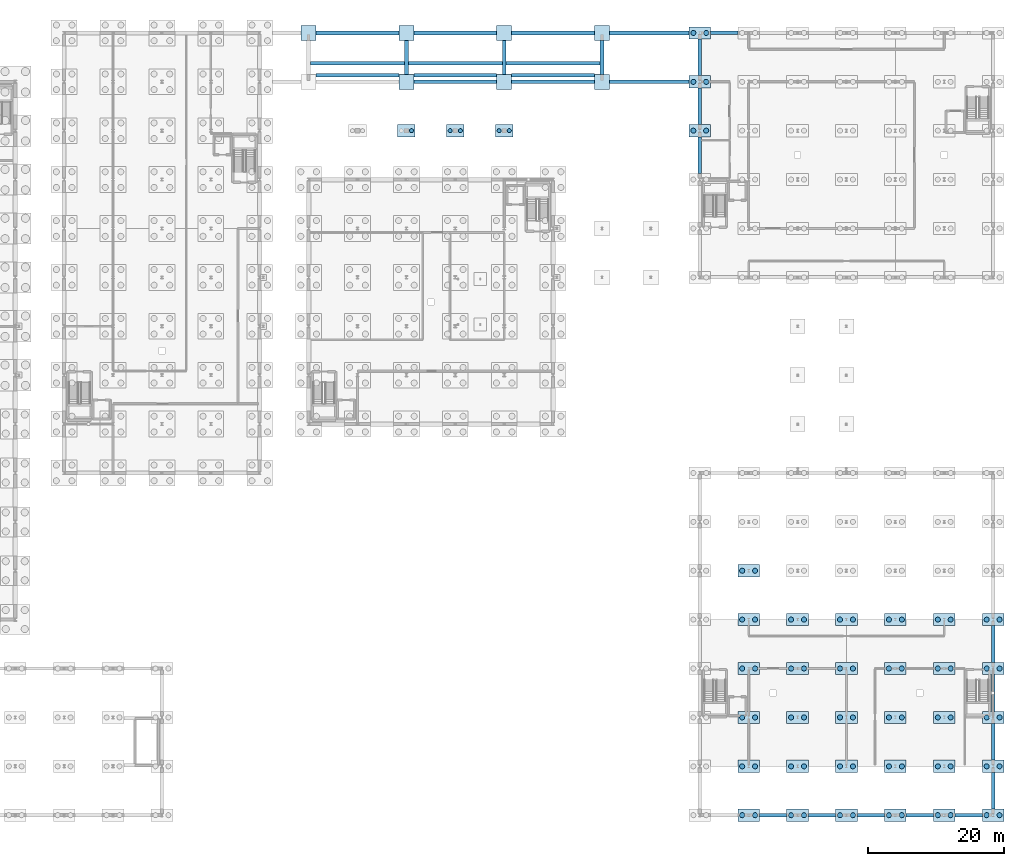
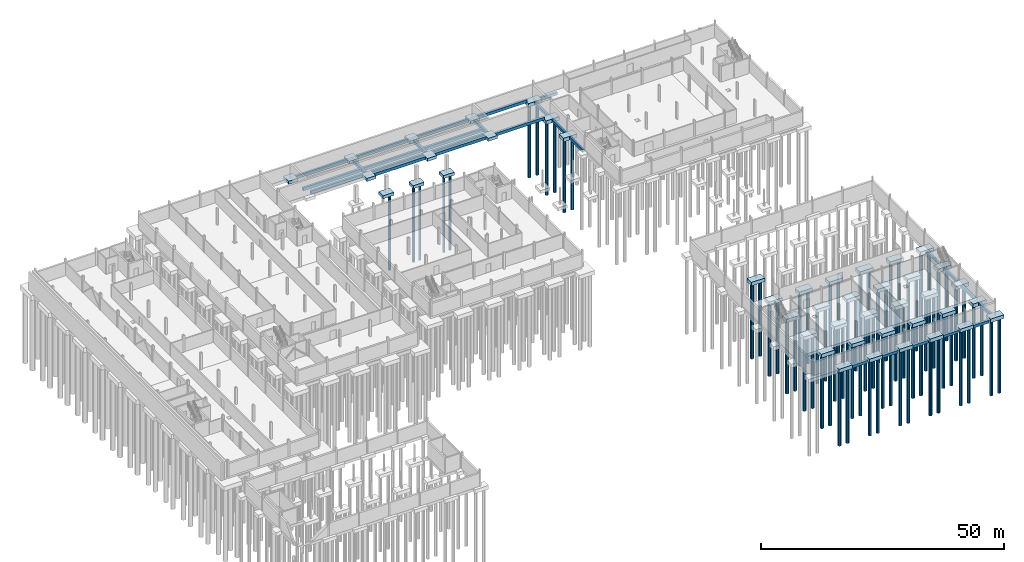
# One storey, part 6 of 50: 73 footings, 73 piles.
"""IFC4 building model written with IfcOpenShell, lengths in metres."""

from ifc_helpers import new_model, si_unit, direction, frame, origin, origin_2d, place, context, subcontext, project, spatial, rectangle, circle, extrude, material, layer, layer_set, material_profile, profile_set, type_object, element, save


model = new_model("IFC4")

# Units and contexts
model_context = context("Model", 3, precision=1e-05, world=origin(), true_north=direction((0.0, 1.0)))
body_context = subcontext(model_context, "Body", "Model", "MODEL_VIEW")
ifc_project = project(units=[si_unit("LENGTHUNIT", "METRE"), si_unit("AREAUNIT", "SQUARE_METRE"), si_unit("VOLUMEUNIT", "CUBIC_METRE"), si_unit("PLANEANGLEUNIT", "RADIAN"), si_unit("MASSUNIT", "GRAM", prefix="KILO")], contexts=[model_context])

# Site, building, storey
site_placement = place(None, origin())
site = spatial("IfcSite", under=ifc_project, at=site_placement, CompositionType="ELEMENT")
building_placement = place(site_placement, origin())
building = spatial("IfcBuilding", under=site, at=building_placement, Name="Narikvali Park Central Library", CompositionType="ELEMENT")
storey_placement = place(building_placement, frame((0.0, 0.0, -4.199951171875)))
storey = spatial("IfcBuildingStorey", under=building, at=storey_placement, Name="B1", CompositionType="ELEMENT", Elevation=-4.199951171875)

# Piles
ifc_material = material(Name="Concrete C35/45", Category="concrete")
ifc_material_profile_1 = material_profile(ifc_material, circle(Radius=0.300048828125, at=origin_2d()), Name="PILE D600")
ifc_profile_set_1 = profile_set([ifc_material_profile_1], Name="Concrete C35/45")
pile_type_1 = type_object("IfcPileType", Name="Bored Pile D600", PredefinedType="BORED", material=ifc_profile_set_1)
for number, where, z_axis, x_axis, name in (
    (1, (79.949951171875, 100.800048828125, -0.650146484375), (0.0, 0.0, -1.0), (1.0, 0.0, 0.0), "Entrance Arch Bored Pile (79.95,100.8)"),
    (2, (85.64990234375, 100.800048828125, -0.650146484375), (0.0, 0.0, -1.0), (1.0, 0.0, 0.0), "Entrance Arch Bored Pile (85.65,100.8)"),
    (3, (87.14990234375, 100.800048828125, -0.650146484375), (0.0, 0.0, -1.0), (1.0, 0.0, 0.0), "Entrance Arch Bored Pile (87.15,100.8)"),
    (4, (92.85009765625, 100.800048828125, -0.650146484375), (0.0, 0.0, -1.0), (1.0, 0.0, 0.0), "Entrance Arch Bored Pile (92.85,100.8)"),
    (5, (94.35009765625, 100.800048828125, -0.650146484375), (0.0, 0.0, -1.0), (1.0, 0.0, 0.0), "Entrance Arch Bored Pile (94.35,100.8)"),
):
    element("IfcPile", number, at=place(storey_placement, frame(where, z_axis=z_axis, x_axis=x_axis)), inside=storey, type_object=pile_type_1, Name=name, PredefinedType="BORED", context=body_context, shape_type="SweptSolid", body=[
        extrude(circle(Radius=0.300048828125, at=origin_2d()), origin(), (0.0, 0.0, 1.0), 19.14990234375),
    ])
ifc_material_profile_2 = material_profile(ifc_material, circle(Radius=0.375, at=origin_2d()), Name="PILE D750")
ifc_profile_set_2 = profile_set([ifc_material_profile_2], Name="Concrete C35/45")
pile_type_2 = type_object("IfcPileType", Name="Bored Pile D750", PredefinedType="BORED", material=ifc_profile_set_2)
for number, where, z_axis, x_axis, name in (
    (6, (121.449951171875, 100.800048828125, -1.400146484375), (0.0, 0.0, -1.0), (1.0, 0.0, 0.0), "Bored Pile (121.45,100.80)"),
    (7, (123.35009765625, 100.800048828125, -1.400146484375), (0.0, 0.0, -1.0), (1.0, 0.0, 0.0), "Bored Pile (123.35,100.80)"),
    (8, (121.449951171875, 108.0, -1.400146484375), (0.0, 0.0, -1.0), (1.0, 0.0, 0.0), "Bored Pile (121.45,108.00)"),
    (9, (123.35009765625, 108.0, -1.400146484375), (0.0, 0.0, -1.0), (1.0, 0.0, 0.0), "Bored Pile (123.35,108.00)"),
    (10, (121.449951171875, 115.199951171875, -1.400146484375), (0.0, 0.0, -1.0), (1.0, 0.0, 0.0), "Bored Pile (121.45,115.20)"),
    (11, (123.35009765625, 115.199951171875, -1.400146484375), (0.0, 0.0, -1.0), (1.0, 0.0, 0.0), "Bored Pile (123.35,115.20)"),
):
    element("IfcPile", number, at=place(storey_placement, frame(where, z_axis=z_axis, x_axis=x_axis)), inside=storey, type_object=pile_type_2, Name=name, PredefinedType="BORED", context=body_context, shape_type="SweptSolid", body=[
        extrude(circle(Radius=0.375, at=origin_2d()), origin(), (0.0, 0.0, 1.0), 18.39990234375),
    ])
for number, where, z_axis, x_axis, name in (
    (12, (128.64990234375, 0.0, -0.800048828125), (0.0, 0.0, -1.0), (1.0, 0.0, 0.0), "Bored Pile (128.65,0.00)"),
    (13, (130.550048828125, 0.0, -0.800048828125), (0.0, 0.0, -1.0), (1.0, 0.0, 0.0), "Bored Pile (130.55,0.00)"),
):
    element("IfcPile", number, at=place(storey_placement, frame(where, z_axis=z_axis, x_axis=x_axis)), inside=storey, type_object=pile_type_2, Name=name, PredefinedType="BORED", context=body_context, shape_type="SweptSolid", body=[
        extrude(circle(Radius=0.375, at=origin_2d()), origin(), (0.0, 0.0, 1.0), 19.0),
    ])
for number, where, z_axis, x_axis, name in (
    (14, (128.64990234375, 7.199951171875, -1.400146484375), (0.0, 0.0, -1.0), (1.0, 0.0, 0.0), "Bored Pile (128.65,7.20)"),
    (15, (130.550048828125, 7.199951171875, -1.400146484375), (0.0, 0.0, -1.0), (1.0, 0.0, 0.0), "Bored Pile (130.55,7.20)"),
    (16, (128.64990234375, 14.39990234375, -1.400146484375), (0.0, 0.0, -1.0), (1.0, 0.0, 0.0), "Bored Pile (128.65,14.40)"),
    (17, (130.550048828125, 14.39990234375, -1.400146484375), (0.0, 0.0, -1.0), (1.0, 0.0, 0.0), "Bored Pile (130.55,14.40)"),
    (18, (128.64990234375, 21.60009765625, -1.400146484375), (0.0, 0.0, -1.0), (1.0, 0.0, 0.0), "Bored Pile (128.65,21.60)"),
    (19, (130.550048828125, 21.60009765625, -1.400146484375), (0.0, 0.0, -1.0), (1.0, 0.0, 0.0), "Bored Pile (130.55,21.60)"),
    (20, (128.64990234375, 28.800048828125, -1.400146484375), (0.0, 0.0, -1.0), (1.0, 0.0, 0.0), "Bored Pile (128.65,28.80)"),
    (21, (130.550048828125, 28.800048828125, -1.400146484375), (0.0, 0.0, -1.0), (1.0, 0.0, 0.0), "Bored Pile (130.55,28.80)"),
):
    element("IfcPile", number, at=place(storey_placement, frame(where, z_axis=z_axis, x_axis=x_axis)), inside=storey, type_object=pile_type_2, Name=name, PredefinedType="BORED", context=body_context, shape_type="SweptSolid", body=[
        extrude(circle(Radius=0.375, at=origin_2d()), origin(), (0.0, 0.0, 1.0), 18.39990234375),
    ])
for number, where, z_axis, x_axis, name in (
    (22, (128.64990234375, 36.0, -0.800048828125), (0.0, 0.0, -1.0), (1.0, 0.0, 0.0), "Bored Pile (128.65,36.00)"),
    (23, (130.550048828125, 36.0, -0.800048828125), (0.0, 0.0, -1.0), (1.0, 0.0, 0.0), "Bored Pile (130.55,36.00)"),
    (24, (135.85009765625, 0.0, -0.800048828125), (0.0, 0.0, -1.0), (1.0, 0.0, 0.0), "Bored Pile (135.85,0.00)"),
    (25, (137.75, 0.0, -0.800048828125), (0.0, 0.0, -1.0), (1.0, 0.0, 0.0), "Bored Pile (137.75,0.00)"),
):
    element("IfcPile", number, at=place(storey_placement, frame(where, z_axis=z_axis, x_axis=x_axis)), inside=storey, type_object=pile_type_2, Name=name, PredefinedType="BORED", context=body_context, shape_type="SweptSolid", body=[
        extrude(circle(Radius=0.375, at=origin_2d()), origin(), (0.0, 0.0, 1.0), 19.0),
    ])
for number, where, z_axis, x_axis, name in (
    (26, (135.85009765625, 7.199951171875, -1.400146484375), (0.0, 0.0, -1.0), (1.0, 0.0, 0.0), "Bored Pile (135.85,7.20)"),
    (27, (137.75, 7.199951171875, -1.400146484375), (0.0, 0.0, -1.0), (1.0, 0.0, 0.0), "Bored Pile (137.75,7.20)"),
    (28, (135.85009765625, 14.39990234375, -1.400146484375), (0.0, 0.0, -1.0), (1.0, 0.0, 0.0), "Bored Pile (135.85,14.40)"),
    (29, (137.75, 14.39990234375, -1.400146484375), (0.0, 0.0, -1.0), (1.0, 0.0, 0.0), "Bored Pile (137.75,14.40)"),
    (30, (135.85009765625, 21.60009765625, -1.400146484375), (0.0, 0.0, -1.0), (1.0, 0.0, 0.0), "Bored Pile (135.85,21.60)"),
    (31, (137.75, 21.60009765625, -1.400146484375), (0.0, 0.0, -1.0), (1.0, 0.0, 0.0), "Bored Pile (137.75,21.60)"),
    (32, (135.85009765625, 28.800048828125, -1.400146484375), (0.0, 0.0, -1.0), (1.0, 0.0, 0.0), "Bored Pile (135.85,28.80)"),
    (33, (137.75, 28.800048828125, -1.400146484375), (0.0, 0.0, -1.0), (1.0, 0.0, 0.0), "Bored Pile (137.75,28.80)"),
):
    element("IfcPile", number, at=place(storey_placement, frame(where, z_axis=z_axis, x_axis=x_axis)), inside=storey, type_object=pile_type_2, Name=name, PredefinedType="BORED", context=body_context, shape_type="SweptSolid", body=[
        extrude(circle(Radius=0.375, at=origin_2d()), origin(), (0.0, 0.0, 1.0), 18.39990234375),
    ])
for number, where, z_axis, x_axis, name in (
    (34, (143.050048828125, 0.0, -0.800048828125), (0.0, 0.0, -1.0), (1.0, 0.0, 0.0), "Bored Pile (143.05,0.00)"),
    (35, (144.949951171875, 0.0, -0.800048828125), (0.0, 0.0, -1.0), (1.0, 0.0, 0.0), "Bored Pile (144.95,0.00)"),
):
    element("IfcPile", number, at=place(storey_placement, frame(where, z_axis=z_axis, x_axis=x_axis)), inside=storey, type_object=pile_type_2, Name=name, PredefinedType="BORED", context=body_context, shape_type="SweptSolid", body=[
        extrude(circle(Radius=0.375, at=origin_2d()), origin(), (0.0, 0.0, 1.0), 19.0),
    ])
for number, where, z_axis, x_axis, name in (
    (36, (143.050048828125, 7.199951171875, -1.400146484375), (0.0, 0.0, -1.0), (1.0, 0.0, 0.0), "Bored Pile (143.05,7.20)"),
    (37, (144.949951171875, 7.199951171875, -1.400146484375), (0.0, 0.0, -1.0), (1.0, 0.0, 0.0), "Bored Pile (144.95,7.20)"),
    (38, (143.050048828125, 14.39990234375, -1.400146484375), (0.0, 0.0, -1.0), (1.0, 0.0, 0.0), "Bored Pile (143.05,14.40)"),
    (39, (144.949951171875, 14.39990234375, -1.400146484375), (0.0, 0.0, -1.0), (1.0, 0.0, 0.0), "Bored Pile (144.95,14.40)"),
    (40, (143.050048828125, 21.60009765625, -1.400146484375), (0.0, 0.0, -1.0), (1.0, 0.0, 0.0), "Bored Pile (143.05,21.60)"),
    (41, (144.949951171875, 21.60009765625, -1.400146484375), (0.0, 0.0, -1.0), (1.0, 0.0, 0.0), "Bored Pile (144.95,21.60)"),
    (42, (143.050048828125, 28.800048828125, -1.400146484375), (0.0, 0.0, -1.0), (1.0, 0.0, 0.0), "Bored Pile (143.05,28.80)"),
    (43, (144.949951171875, 28.800048828125, -1.400146484375), (0.0, 0.0, -1.0), (1.0, 0.0, 0.0), "Bored Pile (144.95,28.80)"),
):
    element("IfcPile", number, at=place(storey_placement, frame(where, z_axis=z_axis, x_axis=x_axis)), inside=storey, type_object=pile_type_2, Name=name, PredefinedType="BORED", context=body_context, shape_type="SweptSolid", body=[
        extrude(circle(Radius=0.375, at=origin_2d()), origin(), (0.0, 0.0, 1.0), 18.39990234375),
    ])
for number, where, z_axis, x_axis, name in (
    (44, (150.25, 0.0, -0.800048828125), (0.0, 0.0, -1.0), (1.0, 0.0, 0.0), "Bored Pile (150.25,0.00)"),
    (45, (152.14990234375, 0.0, -0.800048828125), (0.0, 0.0, -1.0), (1.0, 0.0, 0.0), "Bored Pile (152.15,0.00)"),
):
    element("IfcPile", number, at=place(storey_placement, frame(where, z_axis=z_axis, x_axis=x_axis)), inside=storey, type_object=pile_type_2, Name=name, PredefinedType="BORED", context=body_context, shape_type="SweptSolid", body=[
        extrude(circle(Radius=0.375, at=origin_2d()), origin(), (0.0, 0.0, 1.0), 19.0),
    ])
for number, where, z_axis, x_axis, name in (
    (46, (150.25, 7.199951171875, -1.400146484375), (0.0, 0.0, -1.0), (1.0, 0.0, 0.0), "Bored Pile (150.25,7.20)"),
    (47, (152.14990234375, 7.199951171875, -1.400146484375), (0.0, 0.0, -1.0), (1.0, 0.0, 0.0), "Bored Pile (152.15,7.20)"),
    (48, (150.25, 14.39990234375, -1.400146484375), (0.0, 0.0, -1.0), (1.0, 0.0, 0.0), "Bored Pile (150.25,14.40)"),
    (49, (152.14990234375, 14.39990234375, -1.400146484375), (0.0, 0.0, -1.0), (1.0, 0.0, 0.0), "Bored Pile (152.15,14.40)"),
    (50, (150.25, 21.60009765625, -1.400146484375), (0.0, 0.0, -1.0), (1.0, 0.0, 0.0), "Bored Pile (150.25,21.60)"),
    (51, (152.14990234375, 21.60009765625, -1.400146484375), (0.0, 0.0, -1.0), (1.0, 0.0, 0.0), "Bored Pile (152.15,21.60)"),
    (52, (150.25, 28.800048828125, -1.400146484375), (0.0, 0.0, -1.0), (1.0, 0.0, 0.0), "Bored Pile (150.25,28.80)"),
    (53, (152.14990234375, 28.800048828125, -1.400146484375), (0.0, 0.0, -1.0), (1.0, 0.0, 0.0), "Bored Pile (152.15,28.80)"),
):
    element("IfcPile", number, at=place(storey_placement, frame(where, z_axis=z_axis, x_axis=x_axis)), inside=storey, type_object=pile_type_2, Name=name, PredefinedType="BORED", context=body_context, shape_type="SweptSolid", body=[
        extrude(circle(Radius=0.375, at=origin_2d()), origin(), (0.0, 0.0, 1.0), 18.39990234375),
    ])
for number, where, z_axis, x_axis, name in (
    (54, (157.449951171875, 0.0, -0.800048828125), (0.0, 0.0, -1.0), (1.0, 0.0, 0.0), "Bored Pile (157.45,0.00)"),
    (55, (159.35009765625, 0.0, -0.800048828125), (0.0, 0.0, -1.0), (1.0, 0.0, 0.0), "Bored Pile (159.35,0.00)"),
):
    element("IfcPile", number, at=place(storey_placement, frame(where, z_axis=z_axis, x_axis=x_axis)), inside=storey, type_object=pile_type_2, Name=name, PredefinedType="BORED", context=body_context, shape_type="SweptSolid", body=[
        extrude(circle(Radius=0.375, at=origin_2d()), origin(), (0.0, 0.0, 1.0), 19.0),
    ])
for number, where, z_axis, x_axis, name in (
    (56, (157.449951171875, 7.199951171875, -1.400146484375), (0.0, 0.0, -1.0), (1.0, 0.0, 0.0), "Bored Pile (157.45,7.20)"),
    (57, (159.35009765625, 7.199951171875, -1.400146484375), (0.0, 0.0, -1.0), (1.0, 0.0, 0.0), "Bored Pile (159.35,7.20)"),
    (58, (157.449951171875, 14.39990234375, -1.400146484375), (0.0, 0.0, -1.0), (1.0, 0.0, 0.0), "Bored Pile (157.45,14.40)"),
    (59, (159.35009765625, 14.39990234375, -1.400146484375), (0.0, 0.0, -1.0), (1.0, 0.0, 0.0), "Bored Pile (159.35,14.40)"),
    (60, (157.449951171875, 21.60009765625, -1.400146484375), (0.0, 0.0, -1.0), (1.0, 0.0, 0.0), "Bored Pile (157.45,21.60)"),
    (61, (159.35009765625, 21.60009765625, -1.400146484375), (0.0, 0.0, -1.0), (1.0, 0.0, 0.0), "Bored Pile (159.35,21.60)"),
    (62, (157.449951171875, 28.800048828125, -1.400146484375), (0.0, 0.0, -1.0), (1.0, 0.0, 0.0), "Bored Pile (157.45,28.80)"),
    (63, (159.35009765625, 28.800048828125, -1.400146484375), (0.0, 0.0, -1.0), (1.0, 0.0, 0.0), "Bored Pile (159.35,28.80)"),
):
    element("IfcPile", number, at=place(storey_placement, frame(where, z_axis=z_axis, x_axis=x_axis)), inside=storey, type_object=pile_type_2, Name=name, PredefinedType="BORED", context=body_context, shape_type="SweptSolid", body=[
        extrude(circle(Radius=0.375, at=origin_2d()), origin(), (0.0, 0.0, 1.0), 18.39990234375),
    ])
for number, where, z_axis, x_axis, name in (
    (64, (164.64990234375, 0.0, -0.800048828125), (0.0, 0.0, -1.0), (1.0, 0.0, 0.0), "Bored Pile (164.65,0.00)"),
    (65, (166.550048828125, 0.0, -0.800048828125), (0.0, 0.0, -1.0), (1.0, 0.0, 0.0), "Bored Pile (166.55,0.00)"),
):
    element("IfcPile", number, at=place(storey_placement, frame(where, z_axis=z_axis, x_axis=x_axis)), inside=storey, type_object=pile_type_2, Name=name, PredefinedType="BORED", context=body_context, shape_type="SweptSolid", body=[
        extrude(circle(Radius=0.375, at=origin_2d()), origin(), (0.0, 0.0, 1.0), 19.0),
    ])
for number, where, z_axis, x_axis, name in (
    (66, (164.64990234375, 7.199951171875, -1.400146484375), (0.0, 0.0, -1.0), (1.0, 0.0, 0.0), "Bored Pile (164.65,7.20)"),
    (67, (166.550048828125, 7.199951171875, -1.400146484375), (0.0, 0.0, -1.0), (1.0, 0.0, 0.0), "Bored Pile (166.55,7.20)"),
    (68, (164.64990234375, 14.39990234375, -1.400146484375), (0.0, 0.0, -1.0), (1.0, 0.0, 0.0), "Bored Pile (164.65,14.40)"),
    (69, (166.550048828125, 14.39990234375, -1.400146484375), (0.0, 0.0, -1.0), (1.0, 0.0, 0.0), "Bored Pile (166.55,14.40)"),
    (70, (164.64990234375, 21.60009765625, -1.400146484375), (0.0, 0.0, -1.0), (1.0, 0.0, 0.0), "Bored Pile (164.65,21.60)"),
    (71, (166.550048828125, 21.60009765625, -1.400146484375), (0.0, 0.0, -1.0), (1.0, 0.0, 0.0), "Bored Pile (166.55,21.60)"),
    (72, (164.64990234375, 28.800048828125, -1.400146484375), (0.0, 0.0, -1.0), (1.0, 0.0, 0.0), "Bored Pile (164.65,28.80)"),
    (73, (166.550048828125, 28.800048828125, -1.400146484375), (0.0, 0.0, -1.0), (1.0, 0.0, 0.0), "Bored Pile (166.55,28.80)"),
):
    element("IfcPile", number, at=place(storey_placement, frame(where, z_axis=z_axis, x_axis=x_axis)), inside=storey, type_object=pile_type_2, Name=name, PredefinedType="BORED", context=body_context, shape_type="SweptSolid", body=[
        extrude(circle(Radius=0.375, at=origin_2d()), origin(), (0.0, 0.0, 1.0), 18.39990234375),
    ])

# Footings
ifc_layer_1 = layer(ifc_material, 0.75, Name="Concrete C35/45")
ifc_layer_set_1 = layer_set([ifc_layer_1], Name="Concrete C35/45")
footing_type_1 = type_object("IfcFootingType", Name="Colonnade Pad Footing 2200x2200x750", PredefinedType="PAD_FOOTING", material=ifc_layer_set_1)
for number, where, z_axis, x_axis, name in (
    (74, (64.800048828125, 115.199951171875, -0.75), (0.0, 0.0, 1.0), (1.0, 0.0, 0.0), "Forecourt Retaining Pad Footing (64.8,115.2)"),
    (75, (79.199951171875, 108.0, -0.75), (0.0, 0.0, 1.0), (1.0, 0.0, 0.0), "Forecourt Retaining Pad Footing (79.2,108.0)"),
    (76, (79.199951171875, 115.199951171875, -0.75), (0.0, 0.0, 1.0), (1.0, 0.0, 0.0), "Forecourt Retaining Pad Footing (79.2,115.2)"),
    (77, (93.60009765625, 108.0, -0.75), (0.0, 0.0, 1.0), (1.0, 0.0, 0.0), "Forecourt Retaining Pad Footing (93.6,108.0)"),
    (78, (93.60009765625, 115.199951171875, -0.75), (0.0, 0.0, 1.0), (1.0, 0.0, 0.0), "Forecourt Retaining Pad Footing (93.6,115.2)"),
    (79, (108.0, 108.0, -0.75), (0.0, 0.0, 1.0), (1.0, 0.0, 0.0), "Forecourt Retaining Pad Footing (108.0,108.0)"),
    (80, (108.0, 115.199951171875, -0.75), (0.0, 0.0, 1.0), (1.0, 0.0, 0.0), "Forecourt Retaining Pad Footing (108.0,115.2)"),
):
    element("IfcFooting", number, at=place(storey_placement, frame(where, z_axis=z_axis, x_axis=x_axis)), inside=storey, type_object=footing_type_1, Name=name, PredefinedType="PAD_FOOTING", context=body_context, shape_type="SweptSolid", body=[
        extrude(rectangle(XDim=2.199951171875, YDim=2.199951171875, at=origin_2d()), origin(), (0.0, 0.0, 1.0), 0.75),
    ])
ifc_layer_2 = layer(ifc_material, 0.75, Name="Concrete C35/45")
ifc_layer_set_2 = layer_set([ifc_layer_2], Name="Concrete C35/45")
footing_type_2 = type_object("IfcFootingType", Name="Entrance Arch Two Pile Cap 2600x1800x750", PredefinedType="PILE_CAP", material=ifc_layer_set_2)
for number, where, z_axis, x_axis, name in (
    (81, (79.199951171875, 100.800048828125, -0.75), (0.0, 0.0, 1.0), (1.0, 0.0, 0.0), "Entrance Arch Pile Cap (79.2,100.8)"),
    (82, (86.39990234375, 100.800048828125, -0.75), (0.0, 0.0, 1.0), (1.0, 0.0, 0.0), "Entrance Arch Pile Cap (86.4,100.8)"),
    (83, (93.60009765625, 100.800048828125, -0.75), (0.0, 0.0, 1.0), (1.0, 0.0, 0.0), "Entrance Arch Pile Cap (93.6,100.8)"),
):
    element("IfcFooting", number, at=place(storey_placement, frame(where, z_axis=z_axis, x_axis=x_axis)), inside=storey, type_object=footing_type_2, Name=name, PredefinedType="PILE_CAP", context=body_context, shape_type="SweptSolid", body=[
        extrude(rectangle(XDim=2.60009765625, YDim=1.800048828125, at=origin_2d()), origin(), (0.0, 0.0, 1.0), 0.75),
    ])
ifc_material_profile_3 = material_profile(ifc_material, rectangle(XDim=0.550048828125, YDim=0.75, at=origin_2d()), Name="RC GB 550x750")
ifc_profile_set_3 = profile_set([ifc_material_profile_3], Name="Concrete C35/45")
footing_type_3 = type_object("IfcFootingType", Name="Forecourt Strip Footing 550x750", PredefinedType="STRIP_FOOTING", material=ifc_profile_set_3)
for number, where, z_axis, x_axis, name in (
    (84, (80.300048828125, 108.0, -0.375), (1.0, 0.0, 0.0), (0.0, 1.0, 0.0), "Forecourt Tie Footing Y=108.0 (79.2..93.6)"),
    (85, (94.699951171875, 108.0, -0.375), (1.0, 0.0, 0.0), (0.0, 1.0, 0.0), "Forecourt Tie Footing Y=108.0 (93.6..108.0)"),
):
    element("IfcFooting", number, at=place(storey_placement, frame(where, z_axis=z_axis, x_axis=x_axis)), inside=storey, type_object=footing_type_3, Name=name, PredefinedType="STRIP_FOOTING", context=body_context, shape_type="SweptSolid", body=[
        extrude(rectangle(XDim=0.550048828125, YDim=0.75, at=origin_2d()), origin(), (0.0, 0.0, 1.0), 12.199951171875),
    ])
footing_1_placement = place(storey_placement, frame((109.10009765625, 108.0, -0.375), z_axis=(1.0, 0.0, 0.0), x_axis=(0.0, 1.0, 0.0)))
element("IfcFooting", 86, at=footing_1_placement, inside=storey, type_object=footing_type_3, Name="Forecourt Tie Footing Y=108.0 (108.0..122.4)", PredefinedType="STRIP_FOOTING", context=body_context, shape_type="SweptSolid", body=[
    extrude(rectangle(XDim=0.550048828125, YDim=0.75, at=origin_2d()), origin(), (0.0, 0.0, 1.0), 11.699951171875),
])
footing_2_placement = place(storey_placement, frame((65.89990234375, 115.199951171875, -0.375), z_axis=(1.0, 0.0, 0.0), x_axis=(0.0, 1.0, 0.0)))
element("IfcFooting", 87, at=footing_2_placement, inside=storey, type_object=footing_type_3, Name="Forecourt Tie Footing Y=115.2 (64.8..79.2)", PredefinedType="STRIP_FOOTING", context=body_context, shape_type="SweptSolid", body=[
    extrude(rectangle(XDim=0.550048828125, YDim=0.75, at=origin_2d()), origin(), (0.0, 0.0, 1.0), 12.2001953125),
])
for number, where, z_axis, x_axis, name in (
    (88, (80.300048828125, 115.199951171875, -0.375), (1.0, 0.0, 0.0), (0.0, 1.0, 0.0), "Forecourt Tie Footing Y=115.2 (79.2..93.6)"),
    (89, (94.699951171875, 115.199951171875, -0.375), (1.0, 0.0, 0.0), (0.0, 1.0, 0.0), "Forecourt Tie Footing Y=115.2 (93.6..108.0)"),
):
    element("IfcFooting", number, at=place(storey_placement, frame(where, z_axis=z_axis, x_axis=x_axis)), inside=storey, type_object=footing_type_3, Name=name, PredefinedType="STRIP_FOOTING", context=body_context, shape_type="SweptSolid", body=[
        extrude(rectangle(XDim=0.550048828125, YDim=0.75, at=origin_2d()), origin(), (0.0, 0.0, 1.0), 12.199951171875),
    ])
footing_3_placement = place(storey_placement, frame((109.10009765625, 115.199951171875, -0.375), z_axis=(1.0, 0.0, 0.0), x_axis=(0.0, 1.0, 0.0)))
element("IfcFooting", 90, at=footing_3_placement, inside=storey, type_object=footing_type_3, Name="Forecourt Tie Footing Y=115.2 (108.0..122.4)", PredefinedType="STRIP_FOOTING", context=body_context, shape_type="SweptSolid", body=[
    extrude(rectangle(XDim=0.550048828125, YDim=0.75, at=origin_2d()), origin(), (0.0, 0.0, 1.0), 11.699951171875),
])
for number, where, z_axis, x_axis, name in (
    (91, (79.199951171875, 109.10009765625, -0.375), (0.0, 1.0, 0.0), (-1.0, 0.0, 0.0), "Forecourt Cross Tie Footing X=79.2"),
    (92, (93.60009765625, 109.10009765625, -0.375), (0.0, 1.0, 0.0), (-1.0, 0.0, 0.0), "Forecourt Cross Tie Footing X=93.6"),
    (93, (108.0, 109.10009765625, -0.375), (0.0, 1.0, 0.0), (-1.0, 0.0, 0.0), "Forecourt Cross Tie Footing X=108.0"),
):
    element("IfcFooting", number, at=place(storey_placement, frame(where, z_axis=z_axis, x_axis=x_axis)), inside=storey, type_object=footing_type_3, Name=name, PredefinedType="STRIP_FOOTING", context=body_context, shape_type="SweptSolid", body=[
        extrude(rectangle(XDim=0.550048828125, YDim=0.75, at=origin_2d()), origin(), (0.0, 0.0, 1.0), 5.0),
    ])
footing_4_placement = place(storey_placement, frame((65.89990234375, 108.949951171875, -0.375), z_axis=(1.0, 0.0, 0.0), x_axis=(0.0, 1.0, 0.0)))
element("IfcFooting", 94, at=footing_4_placement, inside=storey, type_object=footing_type_3, Name="Forecourt Stair Foundation Tie (64.8..79.2)", PredefinedType="STRIP_FOOTING", context=body_context, shape_type="SweptSolid", body=[
    extrude(rectangle(XDim=0.550048828125, YDim=0.75, at=origin_2d()), origin(), (0.0, 0.0, 1.0), 12.2001953125),
])
footing_5_placement = place(storey_placement, frame((65.074951171875, 110.75, -0.375), z_axis=(1.0, 0.0, 0.0), x_axis=(0.0, 1.0, 0.0)))
element("IfcFooting", 95, at=footing_5_placement, inside=storey, type_object=footing_type_3, Name="Forecourt Lower Stair Foundation Tie (64.8..79.2)", PredefinedType="STRIP_FOOTING", context=body_context, shape_type="SweptSolid", body=[
    extrude(rectangle(XDim=0.550048828125, YDim=0.75, at=origin_2d()), origin(), (0.0, 0.0, 1.0), 13.85009765625),
])
footing_6_placement = place(storey_placement, frame((80.300048828125, 108.949951171875, -0.375), z_axis=(1.0, 0.0, 0.0), x_axis=(0.0, 1.0, 0.0)))
element("IfcFooting", 96, at=footing_6_placement, inside=storey, type_object=footing_type_3, Name="Forecourt Stair Foundation Tie (79.2..93.6)", PredefinedType="STRIP_FOOTING", context=body_context, shape_type="SweptSolid", body=[
    extrude(rectangle(XDim=0.550048828125, YDim=0.75, at=origin_2d()), origin(), (0.0, 0.0, 1.0), 12.199951171875),
])
footing_7_placement = place(storey_placement, frame((79.47509765625, 110.75, -0.375), z_axis=(1.0, 0.0, 0.0), x_axis=(0.0, 1.0, 0.0)))
element("IfcFooting", 97, at=footing_7_placement, inside=storey, type_object=footing_type_3, Name="Forecourt Lower Stair Foundation Tie (79.2..93.6)", PredefinedType="STRIP_FOOTING", context=body_context, shape_type="SweptSolid", body=[
    extrude(rectangle(XDim=0.550048828125, YDim=0.75, at=origin_2d()), origin(), (0.0, 0.0, 1.0), 13.849853515625),
])
footing_8_placement = place(storey_placement, frame((94.699951171875, 108.949951171875, -0.375), z_axis=(1.0, 0.0, 0.0), x_axis=(0.0, 1.0, 0.0)))
element("IfcFooting", 98, at=footing_8_placement, inside=storey, type_object=footing_type_3, Name="Forecourt Stair Foundation Tie (93.6..108.0)", PredefinedType="STRIP_FOOTING", context=body_context, shape_type="SweptSolid", body=[
    extrude(rectangle(XDim=0.550048828125, YDim=0.75, at=origin_2d()), origin(), (0.0, 0.0, 1.0), 12.199951171875),
])
footing_9_placement = place(storey_placement, frame((93.875, 110.75, -0.375), z_axis=(1.0, 0.0, 0.0), x_axis=(0.0, 1.0, 0.0)))
element("IfcFooting", 99, at=footing_9_placement, inside=storey, type_object=footing_type_3, Name="Forecourt Lower Stair Foundation Tie (93.6..108.0)", PredefinedType="STRIP_FOOTING", context=body_context, shape_type="SweptSolid", body=[
    extrude(rectangle(XDim=0.550048828125, YDim=0.75, at=origin_2d()), origin(), (0.0, 0.0, 1.0), 13.85009765625),
])
ifc_material_profile_4 = material_profile(ifc_material, rectangle(XDim=0.5, YDim=0.699951171875, at=origin_2d()), Name="RC GB 500x700")
ifc_profile_set_4 = profile_set([ifc_material_profile_4], Name="Concrete C35/45")
footing_type_4 = type_object("IfcFootingType", Name="Pavilion Strip Tie Footing 500x700", PredefinedType="STRIP_FOOTING", material=ifc_profile_set_4)
footing_10_placement = place(storey_placement, frame((124.0, 115.199951171875, -1.0), z_axis=(1.0, 0.0, 0.0), x_axis=(0.0, 1.0, 0.0)))
element("IfcFooting", 100, at=footing_10_placement, inside=storey, type_object=footing_type_4, Name="V3 Foundation Tie Beam X", PredefinedType="STRIP_FOOTING", context=body_context, shape_type="SweptSolid", body=[
    extrude(rectangle(XDim=0.5, YDim=0.699951171875, at=origin_2d()), origin(), (0.0, 0.0, 1.0), 4.0),
])
footing_11_placement = place(storey_placement, frame((122.39990234375, 94.5, -1.0), z_axis=(0.0, 1.0, 0.0), x_axis=(-1.0, 0.0, 0.0)))
element("IfcFooting", 101, at=footing_11_placement, inside=storey, type_object=footing_type_4, Name="V3 Foundation Tie Beam Y", PredefinedType="STRIP_FOOTING", context=body_context, shape_type="SweptSolid", body=[
    extrude(rectangle(XDim=0.5, YDim=0.699951171875, at=origin_2d()), origin(), (0.0, 0.0, 1.0), 5.39990234375),
])
for number, where, z_axis, x_axis, name in (
    (102, (122.39990234375, 101.699951171875, -1.0), (0.0, 1.0, 0.0), (-1.0, 0.0, 0.0), "V3 Foundation Tie Beam Y"),
    (103, (122.39990234375, 108.89990234375, -1.0), (0.0, 1.0, 0.0), (-1.0, 0.0, 0.0), "V3 Foundation Tie Beam Y"),
):
    element("IfcFooting", number, at=place(storey_placement, frame(where, z_axis=z_axis, x_axis=x_axis)), inside=storey, type_object=footing_type_4, Name=name, PredefinedType="STRIP_FOOTING", context=body_context, shape_type="SweptSolid", body=[
        extrude(rectangle(XDim=0.5, YDim=0.699951171875, at=origin_2d()), origin(), (0.0, 0.0, 1.0), 5.400146484375),
    ])
for number, where, z_axis, x_axis, name in (
    (104, (131.199951171875, 0.0, -1.0), (1.0, 0.0, 0.0), (0.0, 1.0, 0.0), "V6 Foundation Tie Beam X"),
    (105, (138.39990234375, 0.0, -1.0), (1.0, 0.0, 0.0), (0.0, 1.0, 0.0), "V6 Foundation Tie Beam X"),
    (106, (145.60009765625, 0.0, -1.0), (1.0, 0.0, 0.0), (0.0, 1.0, 0.0), "V6 Foundation Tie Beam X"),
    (107, (152.800048828125, 0.0, -1.0), (1.0, 0.0, 0.0), (0.0, 1.0, 0.0), "V6 Foundation Tie Beam X"),
    (108, (160.0, 0.0, -1.0), (1.0, 0.0, 0.0), (0.0, 1.0, 0.0), "V6 Foundation Tie Beam X"),
):
    element("IfcFooting", number, at=place(storey_placement, frame(where, z_axis=z_axis, x_axis=x_axis)), inside=storey, type_object=footing_type_4, Name=name, PredefinedType="STRIP_FOOTING", context=body_context, shape_type="SweptSolid", body=[
        extrude(rectangle(XDim=0.5, YDim=0.699951171875, at=origin_2d()), origin(), (0.0, 0.0, 1.0), 4.0),
    ])
footing_12_placement = place(storey_placement, frame((165.60009765625, 0.89990234375, -1.0), z_axis=(0.0, 1.0, 0.0), x_axis=(-1.0, 0.0, 0.0)))
element("IfcFooting", 109, at=footing_12_placement, inside=storey, type_object=footing_type_4, Name="V6 Foundation Tie Beam Y", PredefinedType="STRIP_FOOTING", context=body_context, shape_type="SweptSolid", body=[
    extrude(rectangle(XDim=0.5, YDim=0.699951171875, at=origin_2d()), origin(), (0.0, 0.0, 1.0), 5.400146484375),
])
for number, where, z_axis, x_axis, name in (
    (110, (165.60009765625, 8.10009765625, -1.0), (0.0, 1.0, 0.0), (-1.0, 0.0, 0.0), "V6 Foundation Tie Beam Y"),
    (111, (165.60009765625, 15.300048828125, -1.0), (0.0, 1.0, 0.0), (-1.0, 0.0, 0.0), "V6 Foundation Tie Beam Y"),
    (112, (165.60009765625, 22.5, -1.0), (0.0, 1.0, 0.0), (-1.0, 0.0, 0.0), "V6 Foundation Tie Beam Y"),
):
    element("IfcFooting", number, at=place(storey_placement, frame(where, z_axis=z_axis, x_axis=x_axis)), inside=storey, type_object=footing_type_4, Name=name, PredefinedType="STRIP_FOOTING", context=body_context, shape_type="SweptSolid", body=[
        extrude(rectangle(XDim=0.5, YDim=0.699951171875, at=origin_2d()), origin(), (0.0, 0.0, 1.0), 5.39990234375),
    ])
ifc_layer_3 = layer(ifc_material, 0.89990234375, Name="Concrete C35/45")
ifc_layer_set_3 = layer_set([ifc_layer_3], Name="Concrete C35/45")
footing_type_5 = type_object("IfcFootingType", Name="Two Pile Cap 3200x1800x900", PredefinedType="PILE_CAP", material=ifc_layer_set_3)
for number, where, z_axis, x_axis, name in (
    (113, (122.39990234375, 100.800048828125, -1.5), (0.0, 0.0, 1.0), (1.0, 0.0, 0.0), "Pile Cap (122.4,100.8)"),
    (114, (122.39990234375, 108.0, -1.5), (0.0, 0.0, 1.0), (1.0, 0.0, 0.0), "Pile Cap (122.4,108.0)"),
    (115, (122.39990234375, 115.199951171875, -1.5), (0.0, 0.0, 1.0), (1.0, 0.0, 0.0), "Pile Cap (122.4,115.2)"),
    (116, (129.60009765625, 0.0, -0.89990234375), (0.0, 0.0, 1.0), (1.0, 0.0, 0.0), "Pile Cap (129.6,0.0)"),
    (117, (129.60009765625, 7.199951171875, -1.5), (0.0, 0.0, 1.0), (1.0, 0.0, 0.0), "Pile Cap (129.6,7.2)"),
    (118, (129.60009765625, 14.39990234375, -1.5), (0.0, 0.0, 1.0), (1.0, 0.0, 0.0), "Pile Cap (129.6,14.4)"),
    (119, (129.60009765625, 21.60009765625, -1.5), (0.0, 0.0, 1.0), (1.0, 0.0, 0.0), "Pile Cap (129.6,21.6)"),
    (120, (129.60009765625, 28.800048828125, -1.5), (0.0, 0.0, 1.0), (1.0, 0.0, 0.0), "Pile Cap (129.6,28.8)"),
    (121, (129.60009765625, 36.0, -0.89990234375), (0.0, 0.0, 1.0), (1.0, 0.0, 0.0), "Pile Cap (129.6,36.0)"),
    (122, (136.800048828125, 0.0, -0.89990234375), (0.0, 0.0, 1.0), (1.0, 0.0, 0.0), "Pile Cap (136.8,0.0)"),
    (123, (136.800048828125, 7.199951171875, -1.5), (0.0, 0.0, 1.0), (1.0, 0.0, 0.0), "Pile Cap (136.8,7.2)"),
    (124, (136.800048828125, 14.39990234375, -1.5), (0.0, 0.0, 1.0), (1.0, 0.0, 0.0), "Pile Cap (136.8,14.4)"),
    (125, (136.800048828125, 21.60009765625, -1.5), (0.0, 0.0, 1.0), (1.0, 0.0, 0.0), "Pile Cap (136.8,21.6)"),
    (126, (136.800048828125, 28.800048828125, -1.5), (0.0, 0.0, 1.0), (1.0, 0.0, 0.0), "Pile Cap (136.8,28.8)"),
    (127, (144.0, 0.0, -0.89990234375), (0.0, 0.0, 1.0), (1.0, 0.0, 0.0), "Pile Cap (144.0,0.0)"),
    (128, (144.0, 7.199951171875, -1.5), (0.0, 0.0, 1.0), (1.0, 0.0, 0.0), "Pile Cap (144.0,7.2)"),
    (129, (144.0, 14.39990234375, -1.5), (0.0, 0.0, 1.0), (1.0, 0.0, 0.0), "Pile Cap (144.0,14.4)"),
    (130, (144.0, 21.60009765625, -1.5), (0.0, 0.0, 1.0), (1.0, 0.0, 0.0), "Pile Cap (144.0,21.6)"),
    (131, (144.0, 28.800048828125, -1.5), (0.0, 0.0, 1.0), (1.0, 0.0, 0.0), "Pile Cap (144.0,28.8)"),
    (132, (151.199951171875, 0.0, -0.89990234375), (0.0, 0.0, 1.0), (1.0, 0.0, 0.0), "Pile Cap (151.2,0.0)"),
    (133, (151.199951171875, 7.199951171875, -1.5), (0.0, 0.0, 1.0), (1.0, 0.0, 0.0), "Pile Cap (151.2,7.2)"),
    (134, (151.199951171875, 14.39990234375, -1.5), (0.0, 0.0, 1.0), (1.0, 0.0, 0.0), "Pile Cap (151.2,14.4)"),
    (135, (151.199951171875, 21.60009765625, -1.5), (0.0, 0.0, 1.0), (1.0, 0.0, 0.0), "Pile Cap (151.2,21.6)"),
    (136, (151.199951171875, 28.800048828125, -1.5), (0.0, 0.0, 1.0), (1.0, 0.0, 0.0), "Pile Cap (151.2,28.8)"),
    (137, (158.39990234375, 0.0, -0.89990234375), (0.0, 0.0, 1.0), (1.0, 0.0, 0.0), "Pile Cap (158.4,0.0)"),
    (138, (158.39990234375, 7.199951171875, -1.5), (0.0, 0.0, 1.0), (1.0, 0.0, 0.0), "Pile Cap (158.4,7.2)"),
    (139, (158.39990234375, 14.39990234375, -1.5), (0.0, 0.0, 1.0), (1.0, 0.0, 0.0), "Pile Cap (158.4,14.4)"),
    (140, (158.39990234375, 21.60009765625, -1.5), (0.0, 0.0, 1.0), (1.0, 0.0, 0.0), "Pile Cap (158.4,21.6)"),
    (141, (158.39990234375, 28.800048828125, -1.5), (0.0, 0.0, 1.0), (1.0, 0.0, 0.0), "Pile Cap (158.4,28.8)"),
    (142, (165.60009765625, 0.0, -0.89990234375), (0.0, 0.0, 1.0), (1.0, 0.0, 0.0), "Pile Cap (165.6,0.0)"),
    (143, (165.60009765625, 7.199951171875, -1.5), (0.0, 0.0, 1.0), (1.0, 0.0, 0.0), "Pile Cap (165.6,7.2)"),
    (144, (165.60009765625, 14.39990234375, -1.5), (0.0, 0.0, 1.0), (1.0, 0.0, 0.0), "Pile Cap (165.6,14.4)"),
    (145, (165.60009765625, 21.60009765625, -1.5), (0.0, 0.0, 1.0), (1.0, 0.0, 0.0), "Pile Cap (165.6,21.6)"),
    (146, (165.60009765625, 28.800048828125, -1.5), (0.0, 0.0, 1.0), (1.0, 0.0, 0.0), "Pile Cap (165.6,28.8)"),
):
    element("IfcFooting", number, at=place(storey_placement, frame(where, z_axis=z_axis, x_axis=x_axis)), inside=storey, type_object=footing_type_5, Name=name, PredefinedType="PILE_CAP", context=body_context, shape_type="SweptSolid", body=[
        extrude(rectangle(XDim=3.199951171875, YDim=1.800048828125, at=origin_2d()), origin(), (0.0, 0.0, 1.0), 0.89990234375),
    ])

save(model, "model.ifc")
